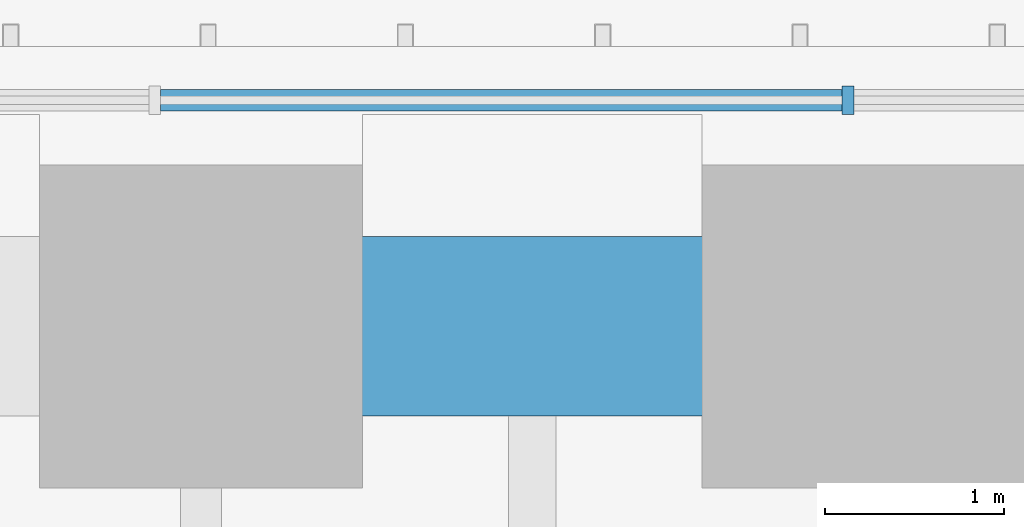
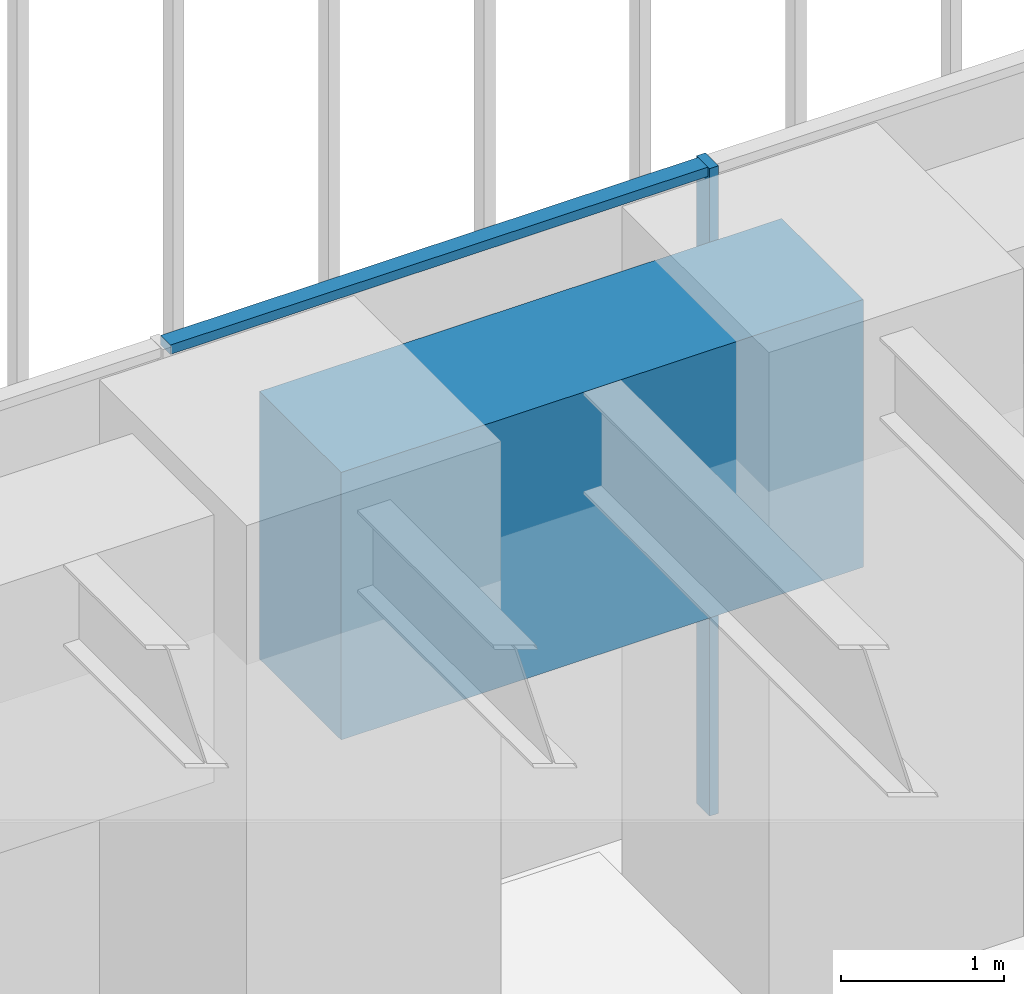
# One storey, part 168 of 228: 2 members, 1 beam, 1 element without a shape of its own.
"""IFC4 building model written with IfcOpenShell, lengths in metres."""

from ifc_helpers import new_model, si_unit, direction, frame, origin, origin_2d, place, context, subcontext, project, spatial, rectangle, extrude, material, material_profile, profile_set, type_object, element, aggregate, save


model = new_model("IFC4")

# Units and contexts
model_context = context("Model", 3, precision=1e-05, world=origin(), true_north=direction((0.0, 1.0)))
body_context = subcontext(model_context, "Body", "Model", "MODEL_VIEW")
ifc_project = project(units=[si_unit("LENGTHUNIT", "METRE"), si_unit("AREAUNIT", "SQUARE_METRE"), si_unit("VOLUMEUNIT", "CUBIC_METRE"), si_unit("PLANEANGLEUNIT", "RADIAN"), si_unit("MASSUNIT", "GRAM", prefix="KILO")], contexts=[model_context])

# Site, building, storey
site_placement = place(None, origin())
site = spatial("IfcSite", under=ifc_project, at=site_placement, CompositionType="ELEMENT")
building_placement = place(site_placement, origin())
building = spatial("IfcBuilding", under=site, at=building_placement, Name="Sandreach Pilgrim Tower", CompositionType="ELEMENT")
storey_placement = place(building_placement, frame((0.0, 0.0, 178.199951171875)))
storey = spatial("IfcBuildingStorey", under=building, at=storey_placement, Name="L44", CompositionType="ELEMENT", Elevation=178.199951171875)

# Curtain wall, members
ifc_material_1 = material(Name="Aluminium framed curtain wall", Category="aluminium")
curtain_wall_type = type_object("IfcCurtainWallType", Name="Upper hotel tower curtain wall", PredefinedType="NOTDEFINED", material=ifc_material_1)
curtain_wall_placement = place(storey_placement, origin())
curtain_wall = element("IfcCurtainWall", 1, at=curtain_wall_placement, inside=storey, type_object=curtain_wall_type, Name="CW-3 L44 N", PredefinedType="NOTDEFINED")
ifc_material_2 = material(Name="Aluminium extrusion", Category="aluminium")
ifc_material_profile_1 = material_profile(ifc_material_2, rectangle(XDim=0.06494140625, YDim=0.159912109375, at=origin_2d()), Name="CW-3M 65X160")
ifc_profile_set_1 = profile_set([ifc_material_profile_1], Name="Aluminium extrusion")
member_type_1 = type_object("IfcMemberType", Name="CW-3 mullion", PredefinedType="MULLION", material=ifc_profile_set_1)
member_1_placement = place(storey_placement, frame((-1.93212890625, 21.16015625, 0.0), z_axis=(0.0, 0.0, 1.0), x_axis=(1.0, 0.0, 0.0)))
member_1 = element("IfcMember", 2, at=member_1_placement, type_object=member_type_1, Name="CW-3 mullion 5", PredefinedType="MULLION", context=body_context, shape_type="SweptSolid", body=[
    extrude(rectangle(XDim=0.06494140625, YDim=0.159912109375, at=origin_2d()), origin(), (0.0, 0.0, 1.0), 4.840087890625),
])
ifc_material_3 = material(Name="Aluminium extrusion", Category="aluminium")
ifc_material_profile_2 = material_profile(ifc_material_3, rectangle(XDim=0.1201171875, YDim=0.070068359375, at=origin_2d()), Name="CW-3T 120X70")
ifc_profile_set_2 = profile_set([ifc_material_profile_2], Name="Aluminium extrusion")
member_type_2 = type_object("IfcMemberType", Name="CW-3 transom", PredefinedType="USERDEFINED", material=ifc_profile_set_2)
member_2_placement = place(storey_placement, frame((-5.76416015625, 21.16015625, 4.804931640625), z_axis=(1.0, 0.0, 0.0), x_axis=(0.0, 1.0, 0.0)))
member_2 = element("IfcMember", 3, at=member_2_placement, type_object=member_type_2, Name="CW-3 head transom 4", ObjectType="TRANSOM", PredefinedType="USERDEFINED", context=body_context, shape_type="SweptSolid", body=[
    extrude(rectangle(XDim=0.1201171875, YDim=0.070068359375, at=origin_2d()), origin(), (0.0, 0.0, 1.0), 3.799560546875),
])
aggregate(curtain_wall, [member_1, member_2])

# Beam
ifc_material_4 = material(Name="Concrete 10000 psi", Category="concrete")
ifc_material_profile_3 = material_profile(ifc_material_4, rectangle(XDim=1.0, YDim=2.0, at=origin_2d()), Name="RC1000X2000")
ifc_profile_set_3 = profile_set([ifc_material_profile_3], Name="Concrete 10000 psi")
beam_type = type_object("IfcBeamType", Name="Spandrel beam RC1000X2000", PredefinedType="SPANDREL", material=ifc_profile_set_3)
beam_placement = place(storey_placement, frame((-5.538818359375, 19.900146484375, 3.840087890625), z_axis=(1.0, 0.0, 0.0), x_axis=(0.0, 1.0, 0.0)))
element("IfcBeam", 4, at=beam_placement, inside=storey, type_object=beam_type, Name="BM L44 SP03", PredefinedType="SPANDREL", context=body_context, shape_type="SweptSolid", body=[
    extrude(rectangle(XDim=1.0, YDim=2.0, at=origin_2d()), origin(), (0.0, 0.0, 1.0), 3.692626953125),
])

save(model, "model.ifc")
